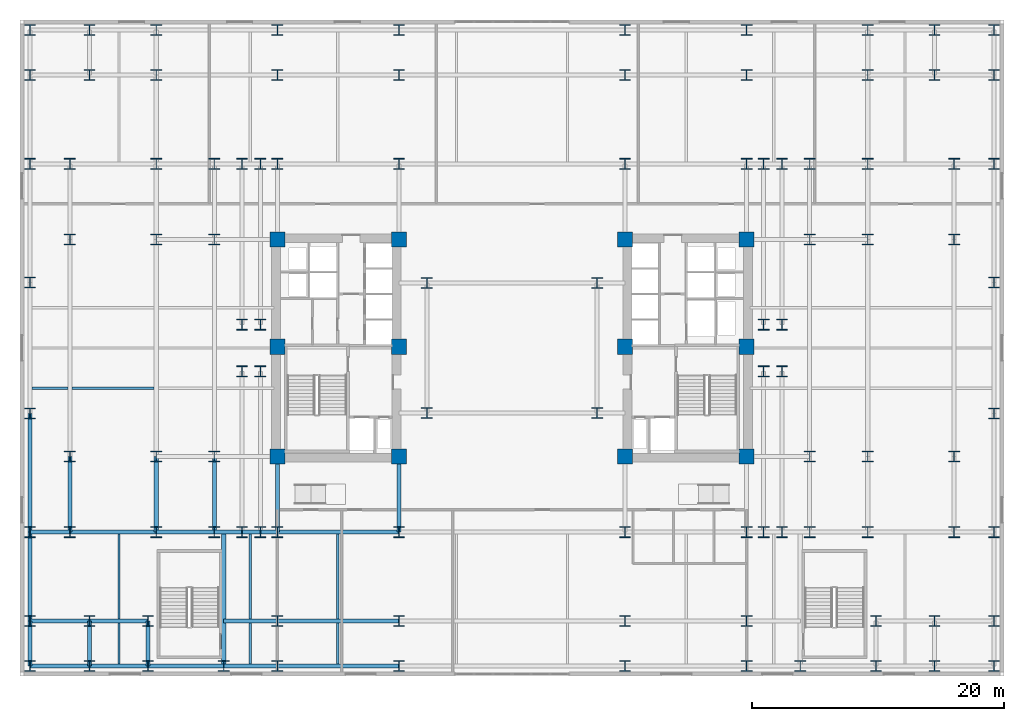
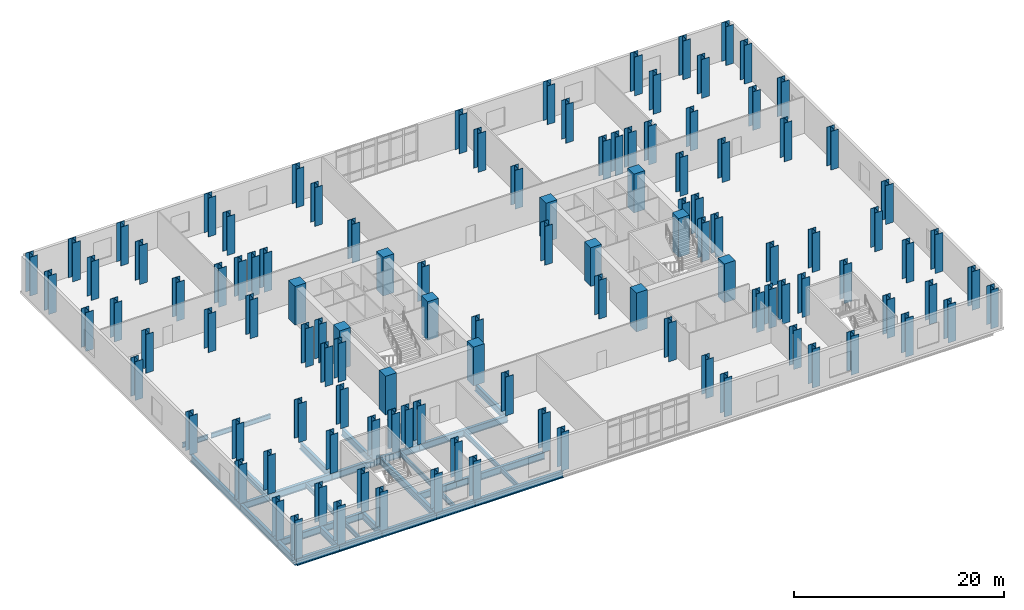
# One storey, part 1 of 13: 114 columns, 33 beams.
"""IFC4 building model written with IfcOpenShell, lengths in metres."""

from ifc_helpers import new_model, si_unit, direction, frame, origin, origin_2d, place, context, subcontext, project, spatial, rectangle, i_section, extrude, material, material_profile, profile_set, type_object, element, save


model = new_model("IFC4")

# Units and contexts
model_context = context("Model", 3, precision=1e-05, world=origin(), true_north=direction((0.0, 1.0)))
body_context = subcontext(model_context, "Body", "Model", "MODEL_VIEW")
ifc_project = project(units=[si_unit("LENGTHUNIT", "METRE"), si_unit("AREAUNIT", "SQUARE_METRE"), si_unit("VOLUMEUNIT", "CUBIC_METRE"), si_unit("PLANEANGLEUNIT", "RADIAN"), si_unit("MASSUNIT", "GRAM", prefix="KILO")], contexts=[model_context])

# Site, building, storey
site_placement = place(None, origin())
site = spatial("IfcSite", under=ifc_project, at=site_placement, CompositionType="ELEMENT")
building_placement = place(site_placement, origin())
building = spatial("IfcBuilding", under=site, at=building_placement, Name="Velakula Bourse", CompositionType="ELEMENT")
storey_placement = place(building_placement, frame((0.0, 0.0, 5.10009765625)))
storey = spatial("IfcBuildingStorey", under=building, at=storey_placement, Name="L01", CompositionType="ELEMENT", Elevation=5.10009765625)

# Columns
ifc_material_1 = material(Name="Concrete M70 (fck 70 MPa)", Category="concrete")
ifc_material_profile_1 = material_profile(ifc_material_1, rectangle(XDim=1.199951171875, YDim=1.199951171875, at=origin_2d()), Name="Concrete M70 (fck 70 MPa)")
ifc_profile_set_1 = profile_set([ifc_material_profile_1], Name="Concrete M70 (fck 70 MPa)")
column_type_1 = type_object("IfcColumnType", Name="COL-RC-1200", PredefinedType="COLUMN", material=ifc_profile_set_1)
for number, where, z_axis, x_axis, name in (
    (1, (-8.949951171875, -8.60009765625, 0.0), (0.0, 0.0, 1.0), (1.0, 0.0, 0.0), "L01 Core Boundary Column 01"),
    (2, (-8.949951171875, 0.10009765625, 0.0), (0.0, 0.0, 1.0), (1.0, 0.0, 0.0), "L01 Core Boundary Column 02"),
    (3, (-8.949951171875, 8.60009765625, 0.0), (0.0, 0.0, 1.0), (1.0, 0.0, 0.0), "L01 Core Boundary Column 03"),
    (4, (-18.60009765625, -8.60009765625, 0.0), (0.0, 0.0, 1.0), (1.0, 0.0, 0.0), "L01 Core Boundary Column 04"),
    (5, (-18.60009765625, 0.10009765625, 0.0), (0.0, 0.0, 1.0), (1.0, 0.0, 0.0), "L01 Core Boundary Column 05"),
    (6, (-18.60009765625, 8.60009765625, 0.0), (0.0, 0.0, 1.0), (1.0, 0.0, 0.0), "L01 Core Boundary Column 06"),
    (7, (8.949951171875, -8.60009765625, 0.0), (0.0, 0.0, 1.0), (1.0, 0.0, 0.0), "L01 Core Boundary Column 07"),
    (8, (8.949951171875, 0.10009765625, 0.0), (0.0, 0.0, 1.0), (1.0, 0.0, 0.0), "L01 Core Boundary Column 08"),
    (9, (8.949951171875, 8.60009765625, 0.0), (0.0, 0.0, 1.0), (1.0, 0.0, 0.0), "L01 Core Boundary Column 09"),
    (10, (18.60009765625, -8.60009765625, 0.0), (0.0, 0.0, 1.0), (1.0, 0.0, 0.0), "L01 Core Boundary Column 10"),
    (11, (18.60009765625, 0.10009765625, 0.0), (0.0, 0.0, 1.0), (1.0, 0.0, 0.0), "L01 Core Boundary Column 11"),
    (12, (18.60009765625, 8.60009765625, 0.0), (0.0, 0.0, 1.0), (1.0, 0.0, 0.0), "L01 Core Boundary Column 12"),
):
    element("IfcColumn", number, at=place(storey_placement, frame(where, z_axis=z_axis, x_axis=x_axis)), inside=storey, type_object=column_type_1, Name=name, PredefinedType="COLUMN", context=body_context, shape_type="SweptSolid", body=[
        extrude(rectangle(XDim=1.199951171875, YDim=1.199951171875, at=origin_2d()), origin(), (0.0, 0.0, 1.0), 4.5),
    ])
ifc_material_2 = material(Name="Steel IS 2062 Grade 450 (E450)", Category="steel")
ifc_material_profile_2 = material_profile(ifc_material_2, i_section(OverallWidth=0.85009765625, OverallDepth=0.85009765625, WebThickness=0.031982421875, FlangeThickness=0.048095703125, at=origin_2d()), Name="Steel IS 2062 Grade 450 (E450)")
ifc_profile_set_2 = profile_set([ifc_material_profile_2], Name="Steel IS 2062 Grade 450 (E450)")
column_type_2 = type_object("IfcColumnType", Name="COL-STL-850", PredefinedType="COLUMN", material=ifc_profile_set_2)
for number, where, z_axis, x_axis, name in (
    (13, (-6.75, -5.14990234375, 0.0), (0.0, 0.0, 1.0), (1.0, 0.0, 0.0), "L01 Central Spine Column 01"),
    (14, (-6.75, 5.14990234375, 0.0), (0.0, 0.0, 1.0), (1.0, 0.0, 0.0), "L01 Central Spine Column 02"),
    (15, (6.75, -5.14990234375, 0.0), (0.0, 0.0, 1.0), (1.0, 0.0, 0.0), "L01 Central Spine Column 03"),
    (16, (6.75, 5.14990234375, 0.0), (0.0, 0.0, 1.0), (1.0, 0.0, 0.0), "L01 Central Spine Column 04"),
    (17, (-21.39990234375, -14.60009765625, 0.0), (0.0, 0.0, 1.0), (1.0, 0.0, 0.0), "L01 Tower Fulcrum Column 01"),
    (18, (-21.39990234375, 14.60009765625, 0.0), (0.0, 0.0, 1.0), (1.0, 0.0, 0.0), "L01 Tower Fulcrum Column 02"),
    (19, (-19.949951171875, -14.60009765625, 0.0), (0.0, 0.0, 1.0), (1.0, 0.0, 0.0), "L01 Tower Fulcrum Column 03"),
    (20, (-19.949951171875, 14.60009765625, 0.0), (0.0, 0.0, 1.0), (1.0, 0.0, 0.0), "L01 Tower Fulcrum Column 04"),
    (21, (-18.60009765625, -14.60009765625, 0.0), (0.0, 0.0, 1.0), (1.0, 0.0, 0.0), "L01 Tower Fulcrum Column 05"),
    (22, (-18.60009765625, 14.60009765625, 0.0), (0.0, 0.0, 1.0), (1.0, 0.0, 0.0), "L01 Tower Fulcrum Column 06"),
    (23, (-8.949951171875, -14.60009765625, 0.0), (0.0, 0.0, 1.0), (1.0, 0.0, 0.0), "L01 Tower Fulcrum Column 07"),
    (24, (-8.949951171875, 14.60009765625, 0.0), (0.0, 0.0, 1.0), (1.0, 0.0, 0.0), "L01 Tower Fulcrum Column 08"),
    (25, (8.949951171875, -14.60009765625, 0.0), (0.0, 0.0, 1.0), (1.0, 0.0, 0.0), "L01 Tower Fulcrum Column 09"),
    (26, (8.949951171875, 14.60009765625, 0.0), (0.0, 0.0, 1.0), (1.0, 0.0, 0.0), "L01 Tower Fulcrum Column 10"),
    (27, (18.60009765625, -14.60009765625, 0.0), (0.0, 0.0, 1.0), (1.0, 0.0, 0.0), "L01 Tower Fulcrum Column 11"),
    (28, (18.60009765625, 14.60009765625, 0.0), (0.0, 0.0, 1.0), (1.0, 0.0, 0.0), "L01 Tower Fulcrum Column 12"),
    (29, (19.949951171875, -14.60009765625, 0.0), (0.0, 0.0, 1.0), (1.0, 0.0, 0.0), "L01 Tower Fulcrum Column 13"),
    (30, (19.949951171875, 14.60009765625, 0.0), (0.0, 0.0, 1.0), (1.0, 0.0, 0.0), "L01 Tower Fulcrum Column 14"),
    (31, (21.39990234375, -14.60009765625, 0.0), (0.0, 0.0, 1.0), (1.0, 0.0, 0.0), "L01 Tower Fulcrum Column 15"),
    (32, (21.39990234375, 14.60009765625, 0.0), (0.0, 0.0, 1.0), (1.0, 0.0, 0.0), "L01 Tower Fulcrum Column 16"),
    (33, (-21.39990234375, -1.85009765625, 0.0), (0.0, 0.0, 1.0), (1.0, 0.0, 0.0), "L01 Tower Fulcrum Column 17"),
    (34, (-21.39990234375, 1.85009765625, 0.0), (0.0, 0.0, 1.0), (1.0, 0.0, 0.0), "L01 Tower Fulcrum Column 18"),
    (35, (-19.949951171875, -1.85009765625, 0.0), (0.0, 0.0, 1.0), (1.0, 0.0, 0.0), "L01 Tower Fulcrum Column 19"),
    (36, (-19.949951171875, 1.85009765625, 0.0), (0.0, 0.0, 1.0), (1.0, 0.0, 0.0), "L01 Tower Fulcrum Column 20"),
    (37, (19.949951171875, -1.85009765625, 0.0), (0.0, 0.0, 1.0), (1.0, 0.0, 0.0), "L01 Tower Fulcrum Column 21"),
    (38, (19.949951171875, 1.85009765625, 0.0), (0.0, 0.0, 1.0), (1.0, 0.0, 0.0), "L01 Tower Fulcrum Column 22"),
    (39, (21.39990234375, -1.85009765625, 0.0), (0.0, 0.0, 1.0), (1.0, 0.0, 0.0), "L01 Tower Fulcrum Column 23"),
    (40, (21.39990234375, 1.85009765625, 0.0), (0.0, 0.0, 1.0), (1.0, 0.0, 0.0), "L01 Tower Fulcrum Column 24"),
    (41, (-23.60009765625, -14.60009765625, 0.0), (0.0, 0.0, 1.0), (1.0, 0.0, 0.0), "L01 Mid-Wing Plumb Column 01"),
    (42, (-23.60009765625, -8.60009765625, 0.0), (0.0, 0.0, 1.0), (1.0, 0.0, 0.0), "L01 Mid-Wing Plumb Column 02"),
    (43, (-23.60009765625, 8.60009765625, 0.0), (0.0, 0.0, 1.0), (1.0, 0.0, 0.0), "L01 Mid-Wing Plumb Column 03"),
    (44, (-23.60009765625, 14.60009765625, 0.0), (0.0, 0.0, 1.0), (1.0, 0.0, 0.0), "L01 Mid-Wing Plumb Column 04"),
    (45, (23.60009765625, -14.60009765625, 0.0), (0.0, 0.0, 1.0), (1.0, 0.0, 0.0), "L01 Mid-Wing Plumb Column 05"),
    (46, (23.60009765625, -8.60009765625, 0.0), (0.0, 0.0, 1.0), (1.0, 0.0, 0.0), "L01 Mid-Wing Plumb Column 06"),
    (47, (23.60009765625, 8.60009765625, 0.0), (0.0, 0.0, 1.0), (1.0, 0.0, 0.0), "L01 Mid-Wing Plumb Column 07"),
    (48, (23.60009765625, 14.60009765625, 0.0), (0.0, 0.0, 1.0), (1.0, 0.0, 0.0), "L01 Mid-Wing Plumb Column 08"),
    (49, (-28.199951171875, -14.60009765625, 0.0), (0.0, 0.0, 1.0), (1.0, 0.0, 0.0), "L01 Lower Wing Column 01"),
    (50, (-28.199951171875, -8.60009765625, 0.0), (0.0, 0.0, 1.0), (1.0, 0.0, 0.0), "L01 Lower Wing Column 02"),
    (51, (-28.199951171875, 8.60009765625, 0.0), (0.0, 0.0, 1.0), (1.0, 0.0, 0.0), "L01 Lower Wing Column 03"),
    (52, (-28.199951171875, 14.60009765625, 0.0), (0.0, 0.0, 1.0), (1.0, 0.0, 0.0), "L01 Lower Wing Column 04"),
    (53, (28.199951171875, -14.60009765625, 0.0), (0.0, 0.0, 1.0), (1.0, 0.0, 0.0), "L01 Lower Wing Column 05"),
    (54, (28.199951171875, -8.60009765625, 0.0), (0.0, 0.0, 1.0), (1.0, 0.0, 0.0), "L01 Lower Wing Column 06"),
    (55, (28.199951171875, 8.60009765625, 0.0), (0.0, 0.0, 1.0), (1.0, 0.0, 0.0), "L01 Lower Wing Column 07"),
    (56, (28.199951171875, 14.60009765625, 0.0), (0.0, 0.0, 1.0), (1.0, 0.0, 0.0), "L01 Lower Wing Column 08"),
    (57, (-35.050048828125, -14.60009765625, 0.0), (0.0, 0.0, 1.0), (1.0, 0.0, 0.0), "L01 Station Podium Grid Column 01"),
    (58, (-35.050048828125, -8.60009765625, 0.0), (0.0, 0.0, 1.0), (1.0, 0.0, 0.0), "L01 Station Podium Grid Column 02"),
    (59, (-35.050048828125, 8.60009765625, 0.0), (0.0, 0.0, 1.0), (1.0, 0.0, 0.0), "L01 Station Podium Grid Column 03"),
    (60, (-35.050048828125, 14.60009765625, 0.0), (0.0, 0.0, 1.0), (1.0, 0.0, 0.0), "L01 Station Podium Grid Column 04"),
    (61, (35.050048828125, -14.60009765625, 0.0), (0.0, 0.0, 1.0), (1.0, 0.0, 0.0), "L01 Station Podium Grid Column 05"),
    (62, (35.050048828125, -8.60009765625, 0.0), (0.0, 0.0, 1.0), (1.0, 0.0, 0.0), "L01 Station Podium Grid Column 06"),
    (63, (35.050048828125, 8.60009765625, 0.0), (0.0, 0.0, 1.0), (1.0, 0.0, 0.0), "L01 Station Podium Grid Column 07"),
    (64, (35.050048828125, 14.60009765625, 0.0), (0.0, 0.0, 1.0), (1.0, 0.0, 0.0), "L01 Station Podium Grid Column 08"),
    (65, (-38.199951171875, -21.64990234375, 0.0), (0.0, 0.0, 1.0), (1.0, 0.0, 0.0), "L01 Station Podium Grid Column 09"),
    (66, (-38.199951171875, 21.64990234375, 0.0), (0.0, 0.0, 1.0), (1.0, 0.0, 0.0), "L01 Station Podium Grid Column 10"),
    (67, (-33.5, -21.64990234375, 0.0), (0.0, 0.0, 1.0), (1.0, 0.0, 0.0), "L01 Station Podium Grid Column 11"),
    (68, (-33.5, 21.64990234375, 0.0), (0.0, 0.0, 1.0), (1.0, 0.0, 0.0), "L01 Station Podium Grid Column 12"),
    (69, (-28.85009765625, -21.64990234375, 0.0), (0.0, 0.0, 1.0), (1.0, 0.0, 0.0), "L01 Station Podium Grid Column 13"),
    (70, (-28.199951171875, 21.64990234375, 0.0), (0.0, 0.0, 1.0), (1.0, 0.0, 0.0), "L01 Station Podium Grid Column 14"),
    (71, (-18.60009765625, -21.64990234375, 0.0), (0.0, 0.0, 1.0), (1.0, 0.0, 0.0), "L01 Station Podium Grid Column 15"),
    (72, (-18.60009765625, 21.64990234375, 0.0), (0.0, 0.0, 1.0), (1.0, 0.0, 0.0), "L01 Station Podium Grid Column 16"),
    (73, (-8.949951171875, -21.64990234375, 0.0), (0.0, 0.0, 1.0), (1.0, 0.0, 0.0), "L01 Station Podium Grid Column 17"),
    (74, (-8.949951171875, 21.64990234375, 0.0), (0.0, 0.0, 1.0), (1.0, 0.0, 0.0), "L01 Station Podium Grid Column 18"),
    (75, (8.949951171875, -21.64990234375, 0.0), (0.0, 0.0, 1.0), (1.0, 0.0, 0.0), "L01 Station Podium Grid Column 19"),
    (76, (8.949951171875, 21.64990234375, 0.0), (0.0, 0.0, 1.0), (1.0, 0.0, 0.0), "L01 Station Podium Grid Column 20"),
    (77, (18.60009765625, -21.64990234375, 0.0), (0.0, 0.0, 1.0), (1.0, 0.0, 0.0), "L01 Station Podium Grid Column 21"),
    (78, (18.60009765625, 21.64990234375, 0.0), (0.0, 0.0, 1.0), (1.0, 0.0, 0.0), "L01 Station Podium Grid Column 22"),
    (79, (28.85009765625, -21.64990234375, 0.0), (0.0, 0.0, 1.0), (1.0, 0.0, 0.0), "L01 Station Podium Grid Column 23"),
    (80, (28.199951171875, 21.64990234375, 0.0), (0.0, 0.0, 1.0), (1.0, 0.0, 0.0), "L01 Station Podium Grid Column 24"),
    (81, (33.5, -21.64990234375, 0.0), (0.0, 0.0, 1.0), (1.0, 0.0, 0.0), "L01 Station Podium Grid Column 25"),
    (82, (33.5, 21.64990234375, 0.0), (0.0, 0.0, 1.0), (1.0, 0.0, 0.0), "L01 Station Podium Grid Column 26"),
    (83, (38.199951171875, -21.64990234375, 0.0), (0.0, 0.0, 1.0), (1.0, 0.0, 0.0), "L01 Station Podium Grid Column 27"),
    (84, (38.199951171875, 21.64990234375, 0.0), (0.0, 0.0, 1.0), (1.0, 0.0, 0.0), "L01 Station Podium Grid Column 28"),
    (85, (-38.199951171875, -25.199951171875, 0.0), (0.0, 0.0, 1.0), (1.0, 0.0, 0.0), "L01 Station Podium Grid Column 29"),
    (86, (-38.199951171875, 25.199951171875, 0.0), (0.0, 0.0, 1.0), (1.0, 0.0, 0.0), "L01 Station Podium Grid Column 30"),
    (87, (-33.5, -25.199951171875, 0.0), (0.0, 0.0, 1.0), (1.0, 0.0, 0.0), "L01 Station Podium Grid Column 31"),
    (88, (-33.5, 25.199951171875, 0.0), (0.0, 0.0, 1.0), (1.0, 0.0, 0.0), "L01 Station Podium Grid Column 32"),
    (89, (-28.85009765625, -25.199951171875, 0.0), (0.0, 0.0, 1.0), (1.0, 0.0, 0.0), "L01 Station Podium Grid Column 33"),
    (90, (-28.199951171875, 25.199951171875, 0.0), (0.0, 0.0, 1.0), (1.0, 0.0, 0.0), "L01 Station Podium Grid Column 34"),
    (91, (-22.85009765625, -25.199951171875, 0.0), (0.0, 0.0, 1.0), (1.0, 0.0, 0.0), "L01 Station Podium Grid Column 35"),
    (92, (22.85009765625, -25.199951171875, 0.0), (0.0, 0.0, 1.0), (1.0, 0.0, 0.0), "L01 Station Podium Grid Column 36"),
    (93, (-18.60009765625, -25.199951171875, 0.0), (0.0, 0.0, 1.0), (1.0, 0.0, 0.0), "L01 Station Podium Grid Column 39"),
    (94, (-18.60009765625, 25.199951171875, 0.0), (0.0, 0.0, 1.0), (1.0, 0.0, 0.0), "L01 Station Podium Grid Column 40"),
    (95, (-8.949951171875, -25.199951171875, 0.0), (0.0, 0.0, 1.0), (1.0, 0.0, 0.0), "L01 Station Podium Grid Column 41"),
    (96, (-8.949951171875, 25.199951171875, 0.0), (0.0, 0.0, 1.0), (1.0, 0.0, 0.0), "L01 Station Podium Grid Column 42"),
    (97, (8.949951171875, -25.199951171875, 0.0), (0.0, 0.0, 1.0), (1.0, 0.0, 0.0), "L01 Station Podium Grid Column 43"),
    (98, (8.949951171875, 25.199951171875, 0.0), (0.0, 0.0, 1.0), (1.0, 0.0, 0.0), "L01 Station Podium Grid Column 44"),
    (99, (18.60009765625, -25.199951171875, 0.0), (0.0, 0.0, 1.0), (1.0, 0.0, 0.0), "L01 Station Podium Grid Column 45"),
    (100, (18.60009765625, 25.199951171875, 0.0), (0.0, 0.0, 1.0), (1.0, 0.0, 0.0), "L01 Station Podium Grid Column 46"),
    (101, (28.85009765625, -25.199951171875, 0.0), (0.0, 0.0, 1.0), (1.0, 0.0, 0.0), "L01 Station Podium Grid Column 47"),
    (102, (28.199951171875, 25.199951171875, 0.0), (0.0, 0.0, 1.0), (1.0, 0.0, 0.0), "L01 Station Podium Grid Column 48"),
    (103, (33.5, -25.199951171875, 0.0), (0.0, 0.0, 1.0), (1.0, 0.0, 0.0), "L01 Station Podium Grid Column 49"),
    (104, (33.5, 25.199951171875, 0.0), (0.0, 0.0, 1.0), (1.0, 0.0, 0.0), "L01 Station Podium Grid Column 50"),
    (105, (38.199951171875, -25.199951171875, 0.0), (0.0, 0.0, 1.0), (1.0, 0.0, 0.0), "L01 Station Podium Grid Column 51"),
    (106, (38.199951171875, 25.199951171875, 0.0), (0.0, 0.0, 1.0), (1.0, 0.0, 0.0), "L01 Station Podium Grid Column 52"),
    (107, (-38.199951171875, -14.60009765625, 0.0), (0.0, 0.0, 1.0), (1.0, 0.0, 0.0), "L01 Station Podium Grid Column 53"),
    (108, (-38.199951171875, -5.199951171875, 0.0), (0.0, 0.0, 1.0), (1.0, 0.0, 0.0), "L01 Station Podium Grid Column 54"),
    (109, (-38.199951171875, 5.199951171875, 0.0), (0.0, 0.0, 1.0), (1.0, 0.0, 0.0), "L01 Station Podium Grid Column 55"),
    (110, (-38.199951171875, 14.60009765625, 0.0), (0.0, 0.0, 1.0), (1.0, 0.0, 0.0), "L01 Station Podium Grid Column 56"),
    (111, (38.199951171875, -14.60009765625, 0.0), (0.0, 0.0, 1.0), (1.0, 0.0, 0.0), "L01 Station Podium Grid Column 57"),
    (112, (38.199951171875, -5.199951171875, 0.0), (0.0, 0.0, 1.0), (1.0, 0.0, 0.0), "L01 Station Podium Grid Column 58"),
    (113, (38.199951171875, 5.199951171875, 0.0), (0.0, 0.0, 1.0), (1.0, 0.0, 0.0), "L01 Station Podium Grid Column 59"),
    (114, (38.199951171875, 14.60009765625, 0.0), (0.0, 0.0, 1.0), (1.0, 0.0, 0.0), "L01 Station Podium Grid Column 60"),
):
    element("IfcColumn", number, at=place(storey_placement, frame(where, z_axis=z_axis, x_axis=x_axis)), inside=storey, type_object=column_type_2, Name=name, PredefinedType="COLUMN", context=body_context, shape_type="SweptSolid", body=[
        extrude(i_section(OverallWidth=0.85009765625, OverallDepth=0.85009765625, WebThickness=0.031982421875, FlangeThickness=0.048095703125, at=origin_2d()), origin(), (0.0, 0.0, 1.0), 4.5),
    ])

# Beams
ifc_material_3 = material(Name="Steel IS 2062 Grade 350 (E350)", Category="steel")
ifc_material_profile_3 = material_profile(ifc_material_3, i_section(OverallWidth=0.320068359375, OverallDepth=0.800048828125, WebThickness=0.01806640625, FlangeThickness=0.028076171875, at=origin_2d()), Name="Steel IS 2062 Grade 350 (E350)")
ifc_profile_set_3 = profile_set([ifc_material_profile_3], Name="Steel IS 2062 Grade 350 (E350)")
beam_type_1 = type_object("IfcBeamType", Name="BM-POD-800", PredefinedType="BEAM", material=ifc_profile_set_3)
for number, where, z_axis, x_axis, name in (
    (115, (-18.60009765625, -14.60009765625, -0.650146484375), (0.0, 1.0, 0.0), (-1.0, 0.0, 0.0), "L01 Fulcrum Grid Girder FLC-WS"),
    (116, (-8.949951171875, -14.60009765625, -0.650146484375), (0.0, 1.0, 0.0), (-1.0, 0.0, 0.0), "L01 Fulcrum Grid Girder FLC-WCS"),
):
    element("IfcBeam", number, at=place(storey_placement, frame(where, z_axis=z_axis, x_axis=x_axis)), inside=storey, type_object=beam_type_1, Name=name, PredefinedType="BEAM", context=body_context, shape_type="SweptSolid", body=[
        extrude(i_section(OverallWidth=0.320068359375, OverallDepth=0.800048828125, WebThickness=0.01806640625, FlangeThickness=0.028076171875, at=origin_2d()), origin(), (0.0, 0.0, 1.0), 6.0),
    ])
beam_1_placement = place(storey_placement, frame((-18.60009765625, -14.60009765625, -0.650146484375), z_axis=(1.0, 0.0, 0.0), x_axis=(0.0, 1.0, 0.0)))
element("IfcBeam", 117, at=beam_1_placement, inside=storey, type_object=beam_type_1, Name="L01 Fulcrum Grid Girder FLC-S1", PredefinedType="BEAM", context=body_context, shape_type="SweptSolid", body=[
    extrude(i_section(OverallWidth=0.320068359375, OverallDepth=0.800048828125, WebThickness=0.01806640625, FlangeThickness=0.028076171875, at=origin_2d()), origin(), (0.0, 0.0, 1.0), 9.650146484375),
])
beam_2_placement = place(storey_placement, frame((-23.60009765625, -14.60009765625, -0.650146484375), z_axis=(1.0, 0.0, 0.0), x_axis=(0.0, 1.0, 0.0)))
element("IfcBeam", 118, at=beam_2_placement, inside=storey, type_object=beam_type_1, Name="L01 Fulcrum Grid Girder MWG-WS1", PredefinedType="BEAM", context=body_context, shape_type="SweptSolid", body=[
    extrude(i_section(OverallWidth=0.320068359375, OverallDepth=0.800048828125, WebThickness=0.01806640625, FlangeThickness=0.028076171875, at=origin_2d()), origin(), (0.0, 0.0, 1.0), 5.0),
])
beam_3_placement = place(storey_placement, frame((-23.60009765625, -14.60009765625, -0.650146484375), z_axis=(0.0, 1.0, 0.0), x_axis=(-1.0, 0.0, 0.0)))
element("IfcBeam", 119, at=beam_3_placement, inside=storey, type_object=beam_type_1, Name="L01 Fulcrum Grid Girder MWG-WNS1", PredefinedType="BEAM", context=body_context, shape_type="SweptSolid", body=[
    extrude(i_section(OverallWidth=0.320068359375, OverallDepth=0.800048828125, WebThickness=0.01806640625, FlangeThickness=0.028076171875, at=origin_2d()), origin(), (0.0, 0.0, 1.0), 6.0),
])
beam_4_placement = place(storey_placement, frame((-28.199951171875, -14.60009765625, -0.650146484375), z_axis=(1.0, 0.0, 0.0), x_axis=(0.0, 1.0, 0.0)))
element("IfcBeam", 120, at=beam_4_placement, inside=storey, type_object=beam_type_1, Name="L01 Fulcrum Grid Girder WNG-WS1", PredefinedType="BEAM", context=body_context, shape_type="SweptSolid", body=[
    extrude(i_section(OverallWidth=0.320068359375, OverallDepth=0.800048828125, WebThickness=0.01806640625, FlangeThickness=0.028076171875, at=origin_2d()), origin(), (0.0, 0.0, 1.0), 4.599853515625),
])
beam_5_placement = place(storey_placement, frame((-28.199951171875, -14.60009765625, -0.650146484375), z_axis=(0.0, 1.0, 0.0), x_axis=(-1.0, 0.0, 0.0)))
element("IfcBeam", 121, at=beam_5_placement, inside=storey, type_object=beam_type_1, Name="L01 Fulcrum Grid Girder WNG-WNS1", PredefinedType="BEAM", context=body_context, shape_type="SweptSolid", body=[
    extrude(i_section(OverallWidth=0.320068359375, OverallDepth=0.800048828125, WebThickness=0.01806640625, FlangeThickness=0.028076171875, at=origin_2d()), origin(), (0.0, 0.0, 1.0), 6.0),
])
beam_6_placement = place(storey_placement, frame((-22.85009765625, -25.199951171875, -0.650146484375), z_axis=(0.0, 1.0, 0.0), x_axis=(-1.0, 0.0, 0.0)))
element("IfcBeam", 122, at=beam_6_placement, inside=storey, type_object=beam_type_1, Name="L01 Podium Stairwell Header Girder STW", PredefinedType="BEAM", context=body_context, shape_type="SweptSolid", body=[
    extrude(i_section(OverallWidth=0.320068359375, OverallDepth=0.800048828125, WebThickness=0.01806640625, FlangeThickness=0.028076171875, at=origin_2d()), origin(), (0.0, 0.0, 1.0), 10.599853515625),
])
beam_7_placement = place(storey_placement, frame((-38.199951171875, -25.199951171875, -0.650146484375), z_axis=(1.0, 0.0, 0.0), x_axis=(0.0, 1.0, 0.0)))
element("IfcBeam", 123, at=beam_7_placement, inside=storey, type_object=beam_type_1, Name="L01 Podium E-W Girder 01", PredefinedType="BEAM", context=body_context, shape_type="SweptSolid", body=[
    extrude(i_section(OverallWidth=0.320068359375, OverallDepth=0.800048828125, WebThickness=0.01806640625, FlangeThickness=0.028076171875, at=origin_2d()), origin(), (0.0, 0.0, 1.0), 4.699951171875),
])
beam_8_placement = place(storey_placement, frame((-33.5, -25.199951171875, -0.650146484375), z_axis=(1.0, 0.0, 0.0), x_axis=(0.0, 1.0, 0.0)))
element("IfcBeam", 124, at=beam_8_placement, inside=storey, type_object=beam_type_1, Name="L01 Podium E-W Girder 02", PredefinedType="BEAM", context=body_context, shape_type="SweptSolid", body=[
    extrude(i_section(OverallWidth=0.320068359375, OverallDepth=0.800048828125, WebThickness=0.01806640625, FlangeThickness=0.028076171875, at=origin_2d()), origin(), (0.0, 0.0, 1.0), 4.64990234375),
])
beam_9_placement = place(storey_placement, frame((-28.85009765625, -25.199951171875, -0.650146484375), z_axis=(1.0, 0.0, 0.0), x_axis=(0.0, 1.0, 0.0)))
element("IfcBeam", 125, at=beam_9_placement, inside=storey, type_object=beam_type_1, Name="L01 Podium E-W Girder 03", PredefinedType="BEAM", context=body_context, shape_type="SweptSolid", body=[
    extrude(i_section(OverallWidth=0.320068359375, OverallDepth=0.800048828125, WebThickness=0.01806640625, FlangeThickness=0.028076171875, at=origin_2d()), origin(), (0.0, 0.0, 1.0), 6.0),
])
beam_10_placement = place(storey_placement, frame((-22.85009765625, -25.199951171875, -0.650146484375), z_axis=(1.0, 0.0, 0.0), x_axis=(0.0, 1.0, 0.0)))
element("IfcBeam", 126, at=beam_10_placement, inside=storey, type_object=beam_type_1, Name="L01 Podium E-W Girder 04", PredefinedType="BEAM", context=body_context, shape_type="SweptSolid", body=[
    extrude(i_section(OverallWidth=0.320068359375, OverallDepth=0.800048828125, WebThickness=0.01806640625, FlangeThickness=0.028076171875, at=origin_2d()), origin(), (0.0, 0.0, 1.0), 4.25),
])
beam_11_placement = place(storey_placement, frame((-18.60009765625, -25.199951171875, -0.650146484375), z_axis=(1.0, 0.0, 0.0), x_axis=(0.0, 1.0, 0.0)))
element("IfcBeam", 127, at=beam_11_placement, inside=storey, type_object=beam_type_1, Name="L01 Podium E-W Girder 05", PredefinedType="BEAM", context=body_context, shape_type="SweptSolid", body=[
    extrude(i_section(OverallWidth=0.320068359375, OverallDepth=0.800048828125, WebThickness=0.01806640625, FlangeThickness=0.028076171875, at=origin_2d()), origin(), (0.0, 0.0, 1.0), 9.650146484375),
])
beam_12_placement = place(storey_placement, frame((-38.199951171875, -21.64990234375, -0.650146484375), z_axis=(1.0, 0.0, 0.0), x_axis=(0.0, 1.0, 0.0)))
element("IfcBeam", 128, at=beam_12_placement, inside=storey, type_object=beam_type_1, Name="L01 Podium E-W Girder 12", PredefinedType="BEAM", context=body_context, shape_type="SweptSolid", body=[
    extrude(i_section(OverallWidth=0.320068359375, OverallDepth=0.800048828125, WebThickness=0.01806640625, FlangeThickness=0.028076171875, at=origin_2d()), origin(), (0.0, 0.0, 1.0), 4.699951171875),
])
beam_13_placement = place(storey_placement, frame((-33.5, -21.64990234375, -0.650146484375), z_axis=(1.0, 0.0, 0.0), x_axis=(0.0, 1.0, 0.0)))
element("IfcBeam", 129, at=beam_13_placement, inside=storey, type_object=beam_type_1, Name="L01 Podium E-W Girder 13", PredefinedType="BEAM", context=body_context, shape_type="SweptSolid", body=[
    extrude(i_section(OverallWidth=0.320068359375, OverallDepth=0.800048828125, WebThickness=0.01806640625, FlangeThickness=0.028076171875, at=origin_2d()), origin(), (0.0, 0.0, 1.0), 4.64990234375),
])
beam_14_placement = place(storey_placement, frame((-22.85009765625, -21.64990234375, -0.650146484375), z_axis=(1.0, 0.0, 0.0), x_axis=(0.0, 1.0, 0.0)))
element("IfcBeam", 130, at=beam_14_placement, inside=storey, type_object=beam_type_1, Name="L01 Podium E-W Girder 14", PredefinedType="BEAM", context=body_context, shape_type="SweptSolid", body=[
    extrude(i_section(OverallWidth=0.320068359375, OverallDepth=0.800048828125, WebThickness=0.01806640625, FlangeThickness=0.028076171875, at=origin_2d()), origin(), (0.0, 0.0, 1.0), 4.25),
])
beam_15_placement = place(storey_placement, frame((-18.60009765625, -21.64990234375, -0.650146484375), z_axis=(1.0, 0.0, 0.0), x_axis=(0.0, 1.0, 0.0)))
element("IfcBeam", 131, at=beam_15_placement, inside=storey, type_object=beam_type_1, Name="L01 Podium E-W Girder 15", PredefinedType="BEAM", context=body_context, shape_type="SweptSolid", body=[
    extrude(i_section(OverallWidth=0.320068359375, OverallDepth=0.800048828125, WebThickness=0.01806640625, FlangeThickness=0.028076171875, at=origin_2d()), origin(), (0.0, 0.0, 1.0), 9.650146484375),
])
beam_16_placement = place(storey_placement, frame((-38.199951171875, -14.60009765625, -0.650146484375), z_axis=(1.0, 0.0, 0.0), x_axis=(0.0, 1.0, 0.0)))
element("IfcBeam", 132, at=beam_16_placement, inside=storey, type_object=beam_type_1, Name="L01 Podium E-W Girder 21", PredefinedType="BEAM", context=body_context, shape_type="SweptSolid", body=[
    extrude(i_section(OverallWidth=0.320068359375, OverallDepth=0.800048828125, WebThickness=0.01806640625, FlangeThickness=0.028076171875, at=origin_2d()), origin(), (0.0, 0.0, 1.0), 3.14990234375),
])
beam_17_placement = place(storey_placement, frame((-35.050048828125, -14.60009765625, -0.650146484375), z_axis=(1.0, 0.0, 0.0), x_axis=(0.0, 1.0, 0.0)))
element("IfcBeam", 133, at=beam_17_placement, inside=storey, type_object=beam_type_1, Name="L01 Podium E-W Girder 22", PredefinedType="BEAM", context=body_context, shape_type="SweptSolid", body=[
    extrude(i_section(OverallWidth=0.320068359375, OverallDepth=0.800048828125, WebThickness=0.01806640625, FlangeThickness=0.028076171875, at=origin_2d()), origin(), (0.0, 0.0, 1.0), 6.85009765625),
])
beam_18_placement = place(storey_placement, frame((-38.199951171875, -25.199951171875, -0.650146484375), z_axis=(0.0, 1.0, 0.0), x_axis=(-1.0, 0.0, 0.0)))
element("IfcBeam", 134, at=beam_18_placement, inside=storey, type_object=beam_type_1, Name="L01 Podium N-S Girder 65", PredefinedType="BEAM", context=body_context, shape_type="SweptSolid", body=[
    extrude(i_section(OverallWidth=0.320068359375, OverallDepth=0.800048828125, WebThickness=0.01806640625, FlangeThickness=0.028076171875, at=origin_2d()), origin(), (0.0, 0.0, 1.0), 3.550048828125),
])
beam_19_placement = place(storey_placement, frame((-38.199951171875, -21.64990234375, -0.650146484375), z_axis=(0.0, 1.0, 0.0), x_axis=(-1.0, 0.0, 0.0)))
element("IfcBeam", 135, at=beam_19_placement, inside=storey, type_object=beam_type_1, Name="L01 Podium N-S Girder 66", PredefinedType="BEAM", context=body_context, shape_type="SweptSolid", body=[
    extrude(i_section(OverallWidth=0.320068359375, OverallDepth=0.800048828125, WebThickness=0.01806640625, FlangeThickness=0.028076171875, at=origin_2d()), origin(), (0.0, 0.0, 1.0), 7.0498046875),
])
beam_20_placement = place(storey_placement, frame((-38.199951171875, -14.60009765625, -0.650146484375), z_axis=(0.0, 1.0, 0.0), x_axis=(-1.0, 0.0, 0.0)))
element("IfcBeam", 136, at=beam_20_placement, inside=storey, type_object=beam_type_1, Name="L01 Podium N-S Girder 67", PredefinedType="BEAM", context=body_context, shape_type="SweptSolid", body=[
    extrude(i_section(OverallWidth=0.320068359375, OverallDepth=0.800048828125, WebThickness=0.01806640625, FlangeThickness=0.028076171875, at=origin_2d()), origin(), (0.0, 0.0, 1.0), 9.400146484375),
])
beam_21_placement = place(storey_placement, frame((-35.050048828125, -14.60009765625, -0.650146484375), z_axis=(0.0, 1.0, 0.0), x_axis=(-1.0, 0.0, 0.0)))
element("IfcBeam", 137, at=beam_21_placement, inside=storey, type_object=beam_type_1, Name="L01 Podium N-S Girder 72", PredefinedType="BEAM", context=body_context, shape_type="SweptSolid", body=[
    extrude(i_section(OverallWidth=0.320068359375, OverallDepth=0.800048828125, WebThickness=0.01806640625, FlangeThickness=0.028076171875, at=origin_2d()), origin(), (0.0, 0.0, 1.0), 6.0),
])
for number, where, z_axis, x_axis, name in (
    (138, (-33.5, -25.199951171875, -0.650146484375), (0.0, 1.0, 0.0), (-1.0, 0.0, 0.0), "L01 Podium N-S Girder 75"),
    (139, (-28.85009765625, -25.199951171875, -0.650146484375), (0.0, 1.0, 0.0), (-1.0, 0.0, 0.0), "L01 Podium N-S Girder 76"),
):
    element("IfcBeam", number, at=place(storey_placement, frame(where, z_axis=z_axis, x_axis=x_axis)), inside=storey, type_object=beam_type_1, Name=name, PredefinedType="BEAM", context=body_context, shape_type="SweptSolid", body=[
        extrude(i_section(OverallWidth=0.320068359375, OverallDepth=0.800048828125, WebThickness=0.01806640625, FlangeThickness=0.028076171875, at=origin_2d()), origin(), (0.0, 0.0, 1.0), 3.550048828125),
    ])
ifc_material_profile_4 = material_profile(ifc_material_3, i_section(OverallWidth=0.18994140625, OverallDepth=0.550048828125, WebThickness=0.01123046875, FlangeThickness=0.019287109375, at=origin_2d()), Name="Steel IS 2062 Grade 350 (E350)")
ifc_profile_set_4 = profile_set([ifc_material_profile_4], Name="Steel IS 2062 Grade 350 (E350)")
beam_type_2 = type_object("IfcBeamType", Name="JST-POD-550", PredefinedType="JOIST", material=ifc_profile_set_4)
beam_22_placement = place(storey_placement, frame((-31.14990234375, -25.0400390625, -0.525146484375), z_axis=(0.0, 1.0, 0.0), x_axis=(-1.0, 0.0, 0.0)))
element("IfcBeam", 140, at=beam_22_placement, inside=storey, type_object=beam_type_2, Name="L01 Station Podium Floor Joist 01", PredefinedType="JOIST", context=body_context, shape_type="SweptSolid", body=[
    extrude(i_section(OverallWidth=0.18994140625, OverallDepth=0.550048828125, WebThickness=0.01123046875, FlangeThickness=0.019287109375, at=origin_2d()), origin(), (0.0, 0.0, 1.0), 3.22998046875),
])
beam_23_placement = place(storey_placement, frame((-31.14990234375, -21.489990234375, -0.525146484375), z_axis=(0.0, 1.0, 0.0), x_axis=(-1.0, 0.0, 0.0)))
element("IfcBeam", 141, at=beam_23_placement, inside=storey, type_object=beam_type_2, Name="L01 Station Podium Floor Joist 02", PredefinedType="JOIST", context=body_context, shape_type="SweptSolid", body=[
    extrude(i_section(OverallWidth=0.18994140625, OverallDepth=0.550048828125, WebThickness=0.01123046875, FlangeThickness=0.019287109375, at=origin_2d()), origin(), (0.0, 0.0, 1.0), 6.72998046875),
])
beam_24_placement = place(storey_placement, frame((-20.75, -25.0400390625, -0.525146484375), z_axis=(0.0, 1.0, 0.0), x_axis=(-1.0, 0.0, 0.0)))
element("IfcBeam", 142, at=beam_24_placement, inside=storey, type_object=beam_type_2, Name="L01 Station Podium Floor Joist 05", PredefinedType="JOIST", context=body_context, shape_type="SweptSolid", body=[
    extrude(i_section(OverallWidth=0.18994140625, OverallDepth=0.550048828125, WebThickness=0.01123046875, FlangeThickness=0.019287109375, at=origin_2d()), origin(), (0.0, 0.0, 1.0), 3.22998046875),
])
beam_25_placement = place(storey_placement, frame((-20.75, -21.489990234375, -0.525146484375), z_axis=(0.0, 1.0, 0.0), x_axis=(-1.0, 0.0, 0.0)))
element("IfcBeam", 143, at=beam_25_placement, inside=storey, type_object=beam_type_2, Name="L01 Station Podium Floor Joist 06", PredefinedType="JOIST", context=body_context, shape_type="SweptSolid", body=[
    extrude(i_section(OverallWidth=0.18994140625, OverallDepth=0.550048828125, WebThickness=0.01123046875, FlangeThickness=0.019287109375, at=origin_2d()), origin(), (0.0, 0.0, 1.0), 6.72998046875),
])
beam_26_placement = place(storey_placement, frame((-13.800048828125, -25.0400390625, -0.525146484375), z_axis=(0.0, 1.0, 0.0), x_axis=(-1.0, 0.0, 0.0)))
element("IfcBeam", 144, at=beam_26_placement, inside=storey, type_object=beam_type_2, Name="L01 Station Podium Floor Joist 09", PredefinedType="JOIST", context=body_context, shape_type="SweptSolid", body=[
    extrude(i_section(OverallWidth=0.18994140625, OverallDepth=0.550048828125, WebThickness=0.01123046875, FlangeThickness=0.019287109375, at=origin_2d()), origin(), (0.0, 0.0, 1.0), 3.22998046875),
])
beam_27_placement = place(storey_placement, frame((-13.800048828125, -21.489990234375, -0.525146484375), z_axis=(0.0, 1.0, 0.0), x_axis=(-1.0, 0.0, 0.0)))
element("IfcBeam", 145, at=beam_27_placement, inside=storey, type_object=beam_type_2, Name="L01 Station Podium Floor Joist 10", PredefinedType="JOIST", context=body_context, shape_type="SweptSolid", body=[
    extrude(i_section(OverallWidth=0.18994140625, OverallDepth=0.550048828125, WebThickness=0.01123046875, FlangeThickness=0.019287109375, at=origin_2d()), origin(), (0.0, 0.0, 1.0), 6.72998046875),
])
beam_28_placement = place(storey_placement, frame((-38.0400390625, -3.199951171875, -0.525146484375), z_axis=(1.0, 0.0, 0.0), x_axis=(0.0, 1.0, 0.0)))
element("IfcBeam", 146, at=beam_28_placement, inside=storey, type_object=beam_type_2, Name="L01 Station Wing Floor Joist 33", PredefinedType="JOIST", context=body_context, shape_type="SweptSolid", body=[
    extrude(i_section(OverallWidth=0.18994140625, OverallDepth=0.550048828125, WebThickness=0.01123046875, FlangeThickness=0.019287109375, at=origin_2d()), origin(), (0.0, 0.0, 1.0), 2.830078125),
])
beam_29_placement = place(storey_placement, frame((-34.889892578125, -3.199951171875, -0.525146484375), z_axis=(1.0, 0.0, 0.0), x_axis=(0.0, 1.0, 0.0)))
element("IfcBeam", 147, at=beam_29_placement, inside=storey, type_object=beam_type_2, Name="L01 Station Wing Floor Joist 34", PredefinedType="JOIST", context=body_context, shape_type="SweptSolid", body=[
    extrude(i_section(OverallWidth=0.18994140625, OverallDepth=0.550048828125, WebThickness=0.01123046875, FlangeThickness=0.019287109375, at=origin_2d()), origin(), (0.0, 0.0, 1.0), 6.52978515625),
])

save(model, "model.ifc")
